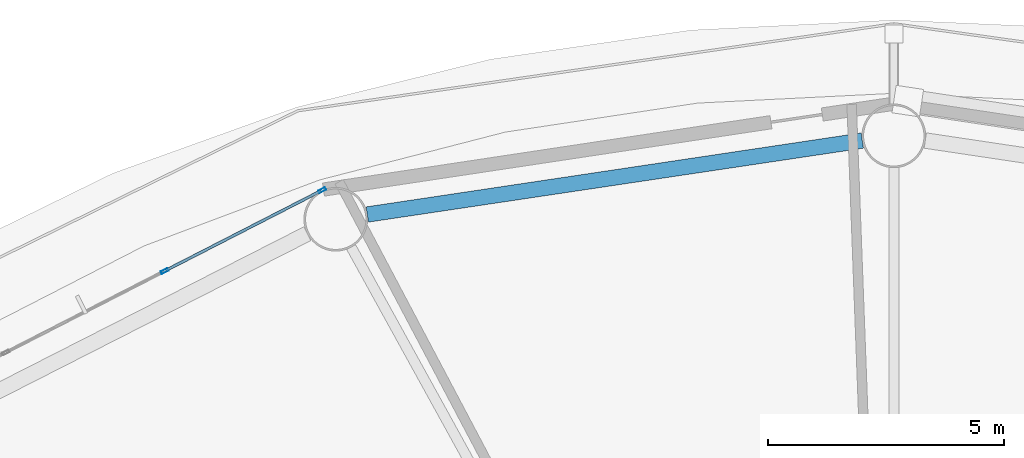
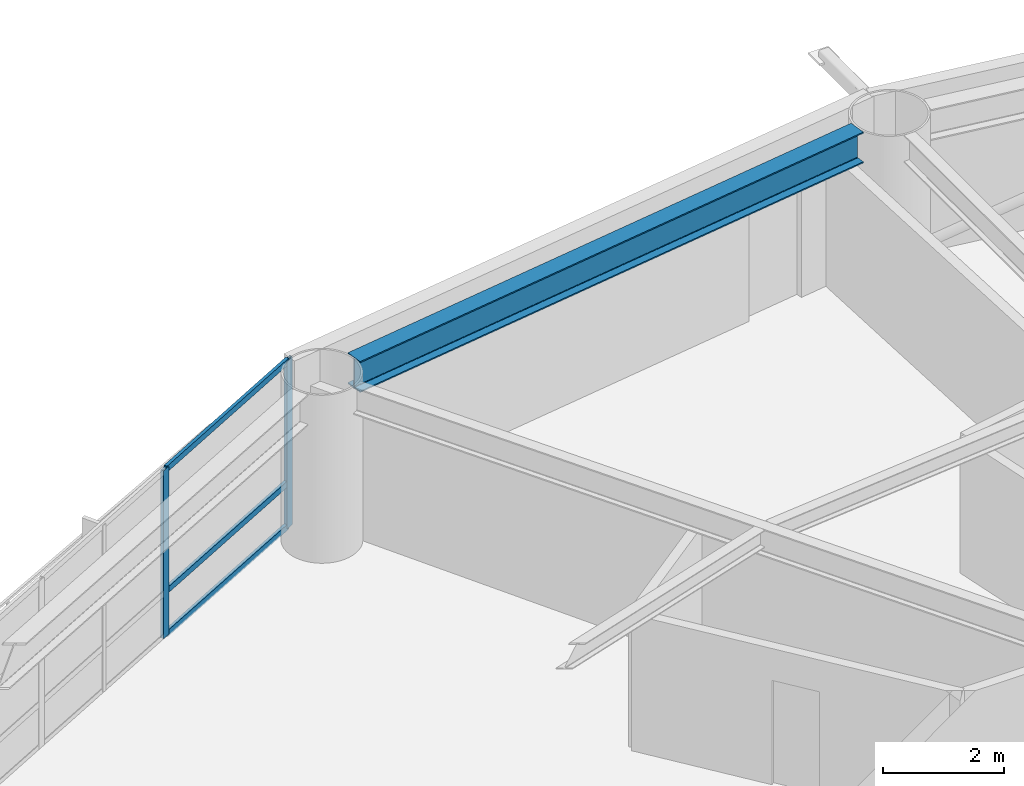
# One storey, part 12 of 26: 5 members, 1 beam, 1 element without a shape of its own.
"""IFC4 building model written with IfcOpenShell, lengths in metres."""

from ifc_helpers import new_model, si_unit, direction, frame, origin, origin_2d, place, context, subcontext, project, spatial, hollow_rectangle, i_section, extrude, material, layer, layer_set, material_profile, profile_set, type_object, element, aggregate, save


model = new_model("IFC4")

# Units and contexts
model_context = context("Model", 3, precision=1e-05, world=origin(), true_north=direction((0.0, 1.0)))
body_context = subcontext(model_context, "Body", "Model", "MODEL_VIEW")
ifc_project = project(units=[si_unit("LENGTHUNIT", "METRE"), si_unit("AREAUNIT", "SQUARE_METRE"), si_unit("VOLUMEUNIT", "CUBIC_METRE"), si_unit("PLANEANGLEUNIT", "RADIAN"), si_unit("MASSUNIT", "GRAM", prefix="KILO")], contexts=[model_context])

# Site, building, storey
site_placement = place(None, origin())
site = spatial("IfcSite", under=ifc_project, at=site_placement, CompositionType="ELEMENT")
building_placement = place(site_placement, origin())
building = spatial("IfcBuilding", under=site, at=building_placement, Name="Sarneth Arch Tower", CompositionType="ELEMENT")
storey_placement = place(building_placement, frame((0.0, 0.0, 42.60009765625)))
storey = spatial("IfcBuildingStorey", under=building, at=storey_placement, Name="L09", CompositionType="ELEMENT", Elevation=42.60009765625)

# Beam
ifc_material_1 = material(Name="Steel S355", Category="steel")
ifc_material_profile_1 = material_profile(ifc_material_1, i_section(OverallWidth=0.326904296875, OverallDepth=0.6220703125, WebThickness=0.015380859375, FlangeThickness=0.0244140625, FilletRadius=0.01904296875, at=origin_2d()), Name="W610x195")
ifc_profile_set_1 = profile_set([ifc_material_profile_1], Name="Steel S355")
beam_type = type_object("IfcBeamType", Name="BM-SPAN-610A", PredefinedType="SPANDREL", material=ifc_profile_set_1)
beam_placement = place(storey_placement, frame((47.33251953125, 65.100341796875, 3.06884765625), z_axis=(-0.989015788086, -0.147809914809, 0.0), x_axis=(0.147809914809, -0.989015788086, 0.0)))
element("IfcBeam", 1, at=beam_placement, inside=storey, type_object=beam_type, Name="L09 Perimeter spandrel beam 05", PredefinedType="SPANDREL", context=body_context, shape_type="SweptSolid", body=[
    extrude(i_section(OverallWidth=0.326904296875, OverallDepth=0.6220703125, WebThickness=0.015380859375, FlangeThickness=0.0244140625, FilletRadius=0.01904296875, at=origin_2d()), origin(), (0.0, 0.0, 1.0), 10.59912109375),
])

# Curtain wall, members
ifc_material_2 = material(Name="Anodised aluminium Type AA25 and solar-control low-e laminated IGU", Category="aluminium")
ifc_layer = layer(ifc_material_2, 0.159912109375)
ifc_layer_set = layer_set([ifc_layer], Name="Anodised aluminium Type AA25 and solar-control low-e laminated IGU")
curtain_wall_type = type_object("IfcCurtainWallType", Name="CW-HOTEL-LOW", PredefinedType="NOTDEFINED", material=ifc_layer_set)
curtain_wall_placement = place(storey_placement, origin())
curtain_wall = element("IfcCurtainWall", 2, at=curtain_wall_placement, inside=storey, type_object=curtain_wall_type, Name="L09 Unitised curtain wall facet 06", PredefinedType="NOTDEFINED")
ifc_material_3 = material(Name="Anodised Aluminium 6063-T6", Category="aluminium")
ifc_material_profile_2 = material_profile(ifc_material_3, hollow_rectangle(XDim=0.06005859375, YDim=0.159912109375, WallThickness=0.00390625, at=origin_2d()), Name="AL-MULL-160x60x4")
ifc_profile_set_2 = profile_set([ifc_material_profile_2], Name="Anodised Aluminium 6063-T6")
member_type_1 = type_object("IfcMemberType", Name="CW-MULLION", PredefinedType="MULLION", material=ifc_profile_set_2)
member_1_placement = place(storey_placement, frame((35.8955078125, 64.048583984375, 0.0), z_axis=(0.0, 0.0, 1.0), x_axis=(0.456245197127, -0.889854100456, 0.0)))
member_1 = element("IfcMember", 3, at=member_1_placement, type_object=member_type_1, Name="CW-SYS-3 mullion 1", PredefinedType="MULLION", context=body_context, shape_type="SweptSolid", body=[
    extrude(hollow_rectangle(XDim=0.06005859375, YDim=0.159912109375, WallThickness=0.00390625, at=origin_2d()), origin(), (0.0, 0.0, 1.0), 3.3798828125),
])
member_2_placement = place(storey_placement, frame((32.556640625, 62.336669921875, 0.0), z_axis=(0.0, 0.0, 1.0), x_axis=(0.456245197127, -0.889854100456, 0.0)))
member_2 = element("IfcMember", 4, at=member_2_placement, type_object=member_type_1, Name="CW-SYS-3 mullion 2", PredefinedType="MULLION", context=body_context, shape_type="SweptSolid", body=[
    extrude(hollow_rectangle(XDim=0.06005859375, YDim=0.159912109375, WallThickness=0.00390625, at=origin_2d()), origin(), (0.0, 0.0, 1.0), 3.3798828125),
])
ifc_material_4 = material(Name="Anodised Aluminium 6063-T6", Category="aluminium")
ifc_material_profile_3 = material_profile(ifc_material_4, hollow_rectangle(XDim=0.06005859375, YDim=0.1201171875, WallThickness=0.00390625, at=origin_2d()), Name="AL-TRAN-120x60x4")
ifc_profile_set_3 = profile_set([ifc_material_profile_3], Name="Anodised Aluminium 6063-T6")
member_type_2 = type_object("IfcMemberType", Name="CW-TRANSOM", PredefinedType="USERDEFINED", material=ifc_profile_set_3)
member_3_placement = place(storey_placement, frame((35.86865234375, 64.034912109375, 0.02978515625), z_axis=(-0.889831232102, -0.456289796485, 0.0), x_axis=(0.456289796485, -0.889831232102, 0.0)))
member_3 = element("IfcMember", 5, at=member_3_placement, type_object=member_type_2, Name="CW-SYS-3 transom 1.1", ObjectType="TRANSOM", PredefinedType="USERDEFINED", context=body_context, shape_type="SweptSolid", body=[
    extrude(hollow_rectangle(XDim=0.06005859375, YDim=0.1201171875, WallThickness=0.00390625, at=origin_2d()), origin(), (0.0, 0.0, 1.0), 3.69189453125),
])
member_4_placement = place(storey_placement, frame((35.86865234375, 64.034912109375, 0.89990234375), z_axis=(-0.889831232102, -0.456289796485, 0.0), x_axis=(0.456289796485, -0.889831232102, 0.0)))
member_4 = element("IfcMember", 6, at=member_4_placement, type_object=member_type_2, Name="CW-SYS-3 transom 1.2", ObjectType="TRANSOM", PredefinedType="USERDEFINED", context=body_context, shape_type="SweptSolid", body=[
    extrude(hollow_rectangle(XDim=0.06005859375, YDim=0.1201171875, WallThickness=0.00390625, at=origin_2d()), origin(), (0.0, 0.0, 1.0), 3.69189453125),
])
member_5_placement = place(storey_placement, frame((35.86865234375, 64.034912109375, 3.349853515625), z_axis=(-0.889831232102, -0.456289796485, 0.0), x_axis=(0.456289796485, -0.889831232102, 0.0)))
member_5 = element("IfcMember", 7, at=member_5_placement, type_object=member_type_2, Name="CW-SYS-3 transom 1.3", ObjectType="TRANSOM", PredefinedType="USERDEFINED", context=body_context, shape_type="SweptSolid", body=[
    extrude(hollow_rectangle(XDim=0.06005859375, YDim=0.1201171875, WallThickness=0.00390625, at=origin_2d()), origin(), (0.0, 0.0, 1.0), 3.69189453125),
])
aggregate(curtain_wall, [member_1, member_2, member_3, member_4, member_5])

save(model, "model.ifc")
